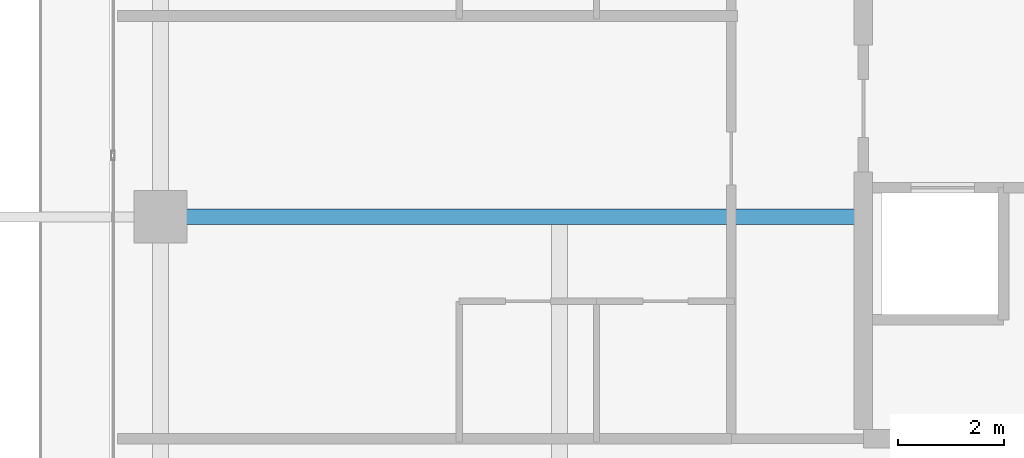
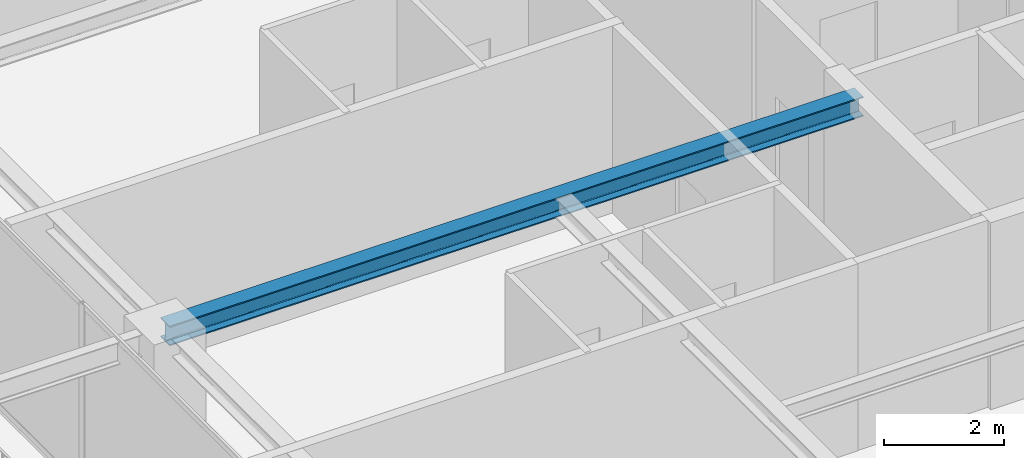
# One storey, part 9 of 39: 1 beam.
"""IFC4 building model written with IfcOpenShell, lengths in metres."""

from ifc_helpers import new_model, si_unit, direction, frame, origin, origin_2d, place, context, subcontext, project, spatial, i_section, extrude, source, transform, mapped, material, material_profile, profile_set, type_object, element, save


model = new_model("IFC4")

# Units and contexts
model_context = context("Model", 3, precision=1e-05, world=origin(), true_north=direction((0.0, 1.0)))
body_context = subcontext(model_context, "Body", "Model", "MODEL_VIEW")
ifc_project = project(units=[si_unit("LENGTHUNIT", "METRE"), si_unit("AREAUNIT", "SQUARE_METRE"), si_unit("VOLUMEUNIT", "CUBIC_METRE"), si_unit("PLANEANGLEUNIT", "RADIAN"), si_unit("MASSUNIT", "GRAM", prefix="KILO")], contexts=[model_context])

# Site, building, storey
site_placement = place(None, origin())
site = spatial("IfcSite", under=ifc_project, at=site_placement, CompositionType="ELEMENT")
building_placement = place(site_placement, origin())
building = spatial("IfcBuilding", under=site, at=building_placement, Name="Serunith Strait Residences", CompositionType="ELEMENT")
storey_placement = place(building_placement, frame((0.0, 0.0, 329.89990234375)))
storey = spatial("IfcBuildingStorey", under=building, at=storey_placement, Name="L82", CompositionType="ELEMENT", Elevation=329.89990234375)

# Beam
ifc_material = material(Name="Steel S355J2", Category="steel")
ifc_material_profile = material_profile(ifc_material, i_section(OverallWidth=0.300048828125, OverallDepth=0.39990234375, WebThickness=0.013427734375, FlangeThickness=0.02392578125, FilletRadius=0.027099609375, at=origin_2d()), Name="HEB 400")
ifc_profile_set = profile_set([ifc_material_profile], Name="Steel S355J2")
beam_type = type_object("IfcBeamType", Name="BM-HEB400", PredefinedType="BEAM", material=ifc_profile_set)
shared_shape = source(origin(), body_context, "Body", "SweptSolid", [
    extrude(i_section(OverallWidth=0.300048828125, OverallDepth=0.39990234375, WebThickness=0.013427734375, FlangeThickness=0.02392578125, FilletRadius=0.027099609375, at=origin_2d()), origin(), (0.0, 0.0, 1.0), 13.2998046875),
])
beam_placement = place(storey_placement, frame((23.39990234375, 21.0, 3.587158203125), z_axis=(-1.0, 0.0, 0.0), x_axis=(0.0, -1.0, 0.0)))
element("IfcBeam", 1, at=beam_placement, inside=storey, type_object=beam_type, Name="L82 Primary Floor Girder TC-W2", PredefinedType="BEAM", context=body_context, shape_type="MappedRepresentation", body=[
    mapped(shared_shape, transform((0.0, 0.0, 0.0), scale=1.0)),
])

save(model, "model.ifc")
